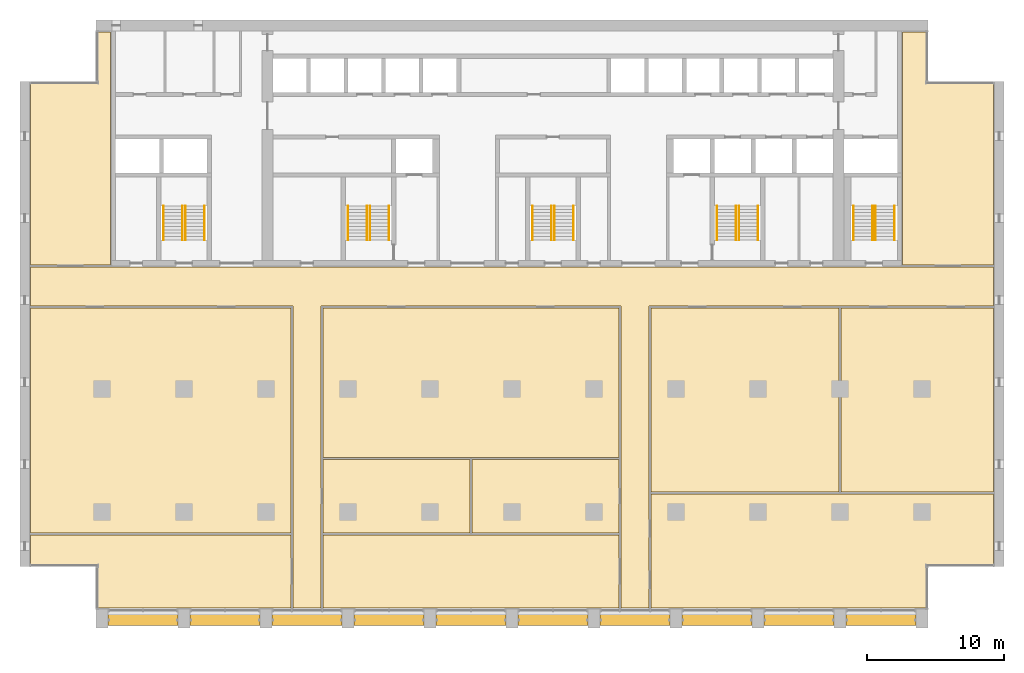
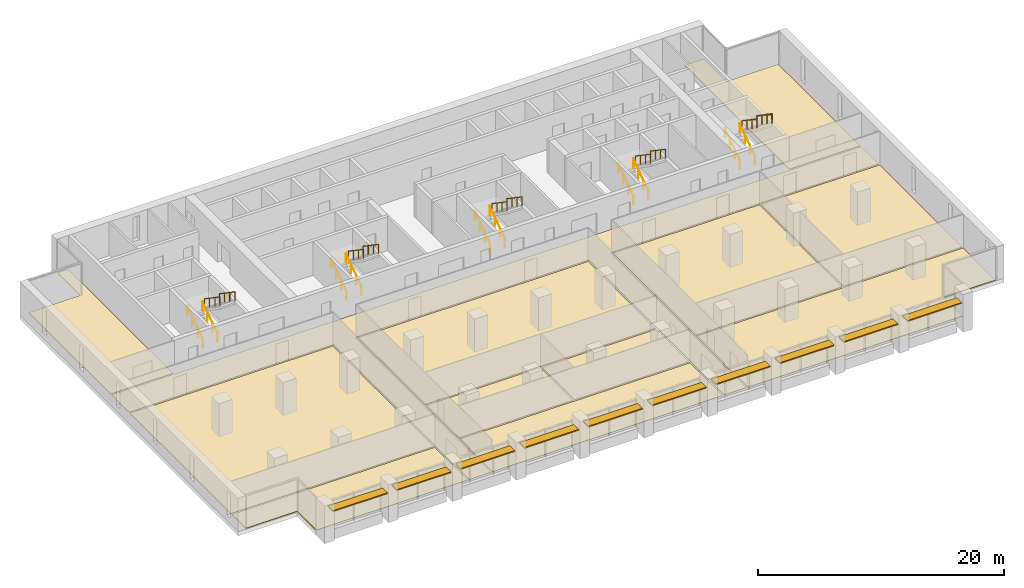
# One storey, part 15 of 15: 20 railings, 12 coverings, 10 shading devices, 5 elements without a shape of their own.
"""IFC4 building model written with IfcOpenShell, lengths in metres."""

from ifc_helpers import new_model, si_unit, direction, frame, origin, origin_2d, place, context, subcontext, project, spatial, polyline, rectangle, circle, outline, extrude, material, layer, layer_set, material_profile, profile_set, type_object, element, aggregate, save


model = new_model("IFC4")

# Units and contexts
model_context = context("Model", 3, precision=1e-05, world=origin(), true_north=direction((0.0, 1.0)))
body_context = subcontext(model_context, "Body", "Model", "MODEL_VIEW")
ifc_project = project(units=[si_unit("LENGTHUNIT", "METRE"), si_unit("AREAUNIT", "SQUARE_METRE"), si_unit("VOLUMEUNIT", "CUBIC_METRE"), si_unit("PLANEANGLEUNIT", "RADIAN"), si_unit("MASSUNIT", "GRAM", prefix="KILO")], contexts=[model_context])

# Site, building, storey
site_placement = place(None, origin())
site = spatial("IfcSite", under=ifc_project, at=site_placement, CompositionType="ELEMENT")
building_placement = place(site_placement, origin())
building = spatial("IfcBuilding", under=site, at=building_placement, Name="Calvaro Tower", CompositionType="ELEMENT")
storey_placement = place(building_placement, frame((0.0, 0.0, 143.75)))
storey = spatial("IfcBuildingStorey", under=building, at=storey_placement, Name="L36", CompositionType="ELEMENT", Elevation=143.75)

# Shading devices
ifc_material_1 = material(Name="Anodised aluminium", Category="aluminium")
ifc_material_profile = material_profile(ifc_material_1, rectangle(XDim=0.800048828125, YDim=0.10009765625, at=origin_2d()), Name="Brise-soleil blade 800 x 100")
ifc_profile_set = profile_set([ifc_material_profile], Name="Anodised aluminium")
shading_device_type = type_object("IfcShadingDeviceType", Name="Brise-soleil blade 800 x 100", PredefinedType="JALOUSIE", material=ifc_profile_set)
for number, where, z_axis, x_axis, name in (
    (1, (6.449951171875, 2.10009765625, 2.39990234375), (1.0, 0.0, 0.0), (0.0, 1.0, 0.0), "Brise-soleil blade 1"),
    (2, (12.449951171875, 2.10009765625, 2.39990234375), (1.0, 0.0, 0.0), (0.0, 1.0, 0.0), "Brise-soleil blade 2"),
    (3, (18.449951171875, 2.10009765625, 2.39990234375), (1.0, 0.0, 0.0), (0.0, 1.0, 0.0), "Brise-soleil blade 3"),
    (4, (24.449951171875, 2.10009765625, 2.39990234375), (1.0, 0.0, 0.0), (0.0, 1.0, 0.0), "Brise-soleil blade 4"),
    (5, (30.449951171875, 2.10009765625, 2.39990234375), (1.0, 0.0, 0.0), (0.0, 1.0, 0.0), "Brise-soleil blade 5"),
    (6, (36.449951171875, 2.10009765625, 2.39990234375), (1.0, 0.0, 0.0), (0.0, 1.0, 0.0), "Brise-soleil blade 6"),
    (7, (42.449951171875, 2.10009765625, 2.39990234375), (1.0, 0.0, 0.0), (0.0, 1.0, 0.0), "Brise-soleil blade 7"),
    (8, (48.449951171875, 2.10009765625, 2.39990234375), (1.0, 0.0, 0.0), (0.0, 1.0, 0.0), "Brise-soleil blade 8"),
    (9, (54.449951171875, 2.10009765625, 2.39990234375), (1.0, 0.0, 0.0), (0.0, 1.0, 0.0), "Brise-soleil blade 9"),
    (10, (60.449951171875, 2.10009765625, 2.39990234375), (1.0, 0.0, 0.0), (0.0, 1.0, 0.0), "Brise-soleil blade 10"),
):
    element("IfcShadingDevice", number, at=place(storey_placement, frame(where, z_axis=z_axis, x_axis=x_axis)), inside=storey, type_object=shading_device_type, Name=name, PredefinedType="JALOUSIE", context=body_context, shape_type="SweptSolid", body=[
        extrude(rectangle(XDim=0.800048828125, YDim=0.10009765625, at=origin_2d()), origin(), (0.0, 0.0, 1.0), 5.10009765625),
    ])

# Coverings
ifc_material_2 = material(Name="Cement screed with carpet tile finish")
ifc_layer = layer(ifc_material_2, 0.050048828125)
ifc_layer_set = layer_set([ifc_layer], Name="Cement screed with carpet tile finish")
covering_type = type_object("IfcCoveringType", Name="Floor finish 50", PredefinedType="FLOORING", material=ifc_layer_set)
covering_1_placement = place(storey_placement, origin())
element("IfcCovering", 11, at=covering_1_placement, inside=storey, type_object=covering_type, Name="Floor finish 22.01", PredefinedType="FLOORING", context=body_context, shape_type="SweptSolid", body=[
    extrude(outline(polyline([(19.969970703125, 2.969970703125), (19.969970703125, 25.070068359375), (0.77001953125, 25.070068359375), (0.77001953125, 27.929931640625), (71.22998046875, 27.929931640625), (71.22998046875, 25.070068359375), (46.030029296875, 25.070068359375), (46.030029296875, 2.969970703125), (43.969970703125, 2.969970703125), (43.969970703125, 25.070068359375), (22.030029296875, 25.070068359375), (22.030029296875, 2.969970703125), (19.969970703125, 2.969970703125)])), origin(), (0.0, 0.0, 1.0), 0.050048828125),
])
covering_2_placement = place(storey_placement, origin())
element("IfcCovering", 12, at=covering_2_placement, inside=storey, type_object=covering_type, Name="Floor finish 22.03", PredefinedType="FLOORING", context=body_context, shape_type="SweptSolid", body=[
    extrude(outline(polyline([(19.830078125, 8.330078125), (19.830078125, 2.969970703125), (5.6201171875, 2.969970703125), (5.6201171875, 6.070068359375), (0.77001953125, 6.070068359375), (0.77001953125, 8.330078125), (19.830078125, 8.330078125)])), origin(), (0.0, 0.0, 1.0), 0.050048828125),
])
covering_3_placement = place(storey_placement, origin())
element("IfcCovering", 13, at=covering_3_placement, inside=storey, type_object=covering_type, Name="Floor finish 22.07", PredefinedType="FLOORING", context=body_context, shape_type="SweptSolid", body=[
    extrude(outline(polyline([(19.830078125, 24.929931640625), (19.830078125, 8.469970703125), (0.77001953125, 8.469970703125), (0.77001953125, 24.929931640625), (19.830078125, 24.929931640625)])), origin(), (0.0, 0.0, 1.0), 0.050048828125),
])
covering_4_placement = place(storey_placement, origin())
element("IfcCovering", 14, at=covering_4_placement, inside=storey, type_object=covering_type, Name="Floor finish 22.02", PredefinedType="FLOORING", context=body_context, shape_type="SweptSolid", body=[
    extrude(outline(polyline([(22.169921875, 8.330078125), (43.830078125, 8.330078125), (43.830078125, 2.969970703125), (22.169921875, 2.969970703125), (22.169921875, 8.330078125)])), origin(), (0.0, 0.0, 1.0), 0.050048828125),
])
covering_5_placement = place(storey_placement, origin())
element("IfcCovering", 15, at=covering_5_placement, inside=storey, type_object=covering_type, Name="Floor finish 22.05", PredefinedType="FLOORING", context=body_context, shape_type="SweptSolid", body=[
    extrude(outline(polyline([(22.169921875, 8.469970703125), (22.169921875, 13.830078125), (32.929931640625, 13.830078125), (32.929931640625, 8.469970703125), (22.169921875, 8.469970703125)])), origin(), (0.0, 0.0, 1.0), 0.050048828125),
])
covering_6_placement = place(storey_placement, origin())
element("IfcCovering", 16, at=covering_6_placement, inside=storey, type_object=covering_type, Name="Floor finish 22.06", PredefinedType="FLOORING", context=body_context, shape_type="SweptSolid", body=[
    extrude(outline(polyline([(33.070068359375, 8.469970703125), (33.070068359375, 13.830078125), (43.830078125, 13.830078125), (43.830078125, 8.469970703125), (33.070068359375, 8.469970703125)])), origin(), (0.0, 0.0, 1.0), 0.050048828125),
])
covering_7_placement = place(storey_placement, origin())
element("IfcCovering", 17, at=covering_7_placement, inside=storey, type_object=covering_type, Name="Floor finish 22.10", PredefinedType="FLOORING", context=body_context, shape_type="SweptSolid", body=[
    extrude(outline(polyline([(22.169921875, 13.969970703125), (22.169921875, 24.929931640625), (43.830078125, 24.929931640625), (43.830078125, 13.969970703125), (22.169921875, 13.969970703125)])), origin(), (0.0, 0.0, 1.0), 0.050048828125),
])
covering_8_placement = place(storey_placement, origin())
element("IfcCovering", 18, at=covering_8_placement, inside=storey, type_object=covering_type, Name="Floor finish 22.04", PredefinedType="FLOORING", context=body_context, shape_type="SweptSolid", body=[
    extrude(outline(polyline([(71.22998046875, 6.070068359375), (66.3798828125, 6.070068359375), (66.3798828125, 2.969970703125), (46.169921875, 2.969970703125), (46.169921875, 11.330078125), (71.22998046875, 11.330078125), (71.22998046875, 6.070068359375)])), origin(), (0.0, 0.0, 1.0), 0.050048828125),
])
covering_9_placement = place(storey_placement, origin())
element("IfcCovering", 19, at=covering_9_placement, inside=storey, type_object=covering_type, Name="Floor finish 22.08", PredefinedType="FLOORING", context=body_context, shape_type="SweptSolid", body=[
    extrude(outline(polyline([(46.169921875, 11.469970703125), (46.169921875, 24.929931640625), (59.929931640625, 24.929931640625), (59.929931640625, 11.469970703125), (46.169921875, 11.469970703125)])), origin(), (0.0, 0.0, 1.0), 0.050048828125),
])
covering_10_placement = place(storey_placement, origin())
element("IfcCovering", 20, at=covering_10_placement, inside=storey, type_object=covering_type, Name="Floor finish 22.09", PredefinedType="FLOORING", context=body_context, shape_type="SweptSolid", body=[
    extrude(outline(polyline([(71.22998046875, 11.469970703125), (60.070068359375, 11.469970703125), (60.070068359375, 24.929931640625), (71.22998046875, 24.929931640625), (71.22998046875, 11.469970703125)])), origin(), (0.0, 0.0, 1.0), 0.050048828125),
])
covering_11_placement = place(storey_placement, origin())
element("IfcCovering", 21, at=covering_11_placement, inside=storey, type_object=covering_type, Name="Floor finish 22.11", PredefinedType="FLOORING", context=body_context, shape_type="SweptSolid", body=[
    extrude(outline(polyline([(6.6298828125, 28.070068359375), (0.77001953125, 28.070068359375), (0.77001953125, 41.429931640625), (5.6201171875, 41.429931640625), (5.6201171875, 45.1298828125), (6.6298828125, 45.1298828125), (6.6298828125, 28.070068359375)])), origin(), (0.0, 0.0, 1.0), 0.050048828125),
])
covering_12_placement = place(storey_placement, origin())
element("IfcCovering", 22, at=covering_12_placement, inside=storey, type_object=covering_type, Name="Floor finish 22.12", PredefinedType="FLOORING", context=body_context, shape_type="SweptSolid", body=[
    extrude(outline(polyline([(71.22998046875, 28.070068359375), (64.570068359375, 28.070068359375), (64.570068359375, 45.1298828125), (66.3798828125, 45.1298828125), (66.3798828125, 41.429931640625), (71.22998046875, 41.429931640625), (71.22998046875, 28.070068359375)])), origin(), (0.0, 0.0, 1.0), 0.050048828125),
])

# Stair, railings
ifc_material_3 = material(Name="Concrete C40/50", Category="concrete")
stair_type = type_object("IfcStairType", Name="Exit stair 1400 2 flights", PredefinedType="HALF_TURN_STAIR", material=ifc_material_3)
stair_1_placement = place(storey_placement, origin())
stair_1 = element("IfcStair", 23, at=stair_1_placement, inside=storey, type_object=stair_type, Name="Exit stair S1", PredefinedType="HALF_TURN_STAIR")
ifc_material_4 = material(Name="Stainless steel", Category="steel")
railing_type = type_object("IfcRailingType", Name="Stair handrail", PredefinedType="HANDRAIL", material=ifc_material_4)
railing_1_placement = place(storey_placement, frame((11.89990234375, 29.89990234375, 0.17041015625)))
railing_1 = element("IfcRailing", 24, at=railing_1_placement, type_object=railing_type, Name="Exit stair 1 handrail", PredefinedType="HANDRAIL", context=body_context, shape_type="SweptSolid", body=[
    extrude(circle(Radius=0.02392578125, at=origin_2d()), frame((0.0, 0.0, 0.8759765625), z_axis=(0.0, 0.826220514629, 0.563346839174), x_axis=(-1.0, 0.0, 0.0)), (0.0, 0.0, 1.0), 3.02587890625),
    extrude(circle(Radius=0.02099609375, at=origin_2d()), frame((0.0, 0.017333984375, 0.01171875)), (0.0, 0.0, 1.0), 0.851806640625),
    extrude(circle(Radius=0.02099609375, at=origin_2d()), frame((0.0, 0.833251953125, 0.568115234375)), (0.0, 0.0, 1.0), 0.851806640625),
    extrude(circle(Radius=0.02099609375, at=origin_2d()), frame((0.0, 1.666748046875, 1.136474609375)), (0.0, 0.0, 1.0), 0.851806640625),
    extrude(circle(Radius=0.02099609375, at=origin_2d()), frame((0.0, 2.482666015625, 1.69287109375)), (0.0, 0.0, 1.0), 0.851806640625),
])
railing_2_placement = place(storey_placement, frame((10.5, 29.89990234375, 0.17041015625)))
railing_2 = element("IfcRailing", 25, at=railing_2_placement, type_object=railing_type, Name="Exit stair 1 handrail", PredefinedType="HANDRAIL", context=body_context, shape_type="SweptSolid", body=[
    extrude(circle(Radius=0.02392578125, at=origin_2d()), frame((0.0, 0.0, 0.8759765625), z_axis=(0.0, 0.826220514629, 0.563346839174), x_axis=(-1.0, 0.0, 0.0)), (0.0, 0.0, 1.0), 3.02587890625),
    extrude(circle(Radius=0.02099609375, at=origin_2d()), frame((0.0, 0.017333984375, 0.01171875)), (0.0, 0.0, 1.0), 0.851806640625),
    extrude(circle(Radius=0.02099609375, at=origin_2d()), frame((0.0, 0.833251953125, 0.568115234375)), (0.0, 0.0, 1.0), 0.851806640625),
    extrude(circle(Radius=0.02099609375, at=origin_2d()), frame((0.0, 1.666748046875, 1.136474609375)), (0.0, 0.0, 1.0), 0.851806640625),
    extrude(circle(Radius=0.02099609375, at=origin_2d()), frame((0.0, 2.482666015625, 1.69287109375)), (0.0, 0.0, 1.0), 0.851806640625),
])
railing_3_placement = place(storey_placement, frame((12.10009765625, 32.39990234375, 2.04541015625)))
railing_3 = element("IfcRailing", 26, at=railing_3_placement, type_object=railing_type, Name="Exit stair 1 handrail", PredefinedType="HANDRAIL", context=body_context, shape_type="SweptSolid", body=[
    extrude(circle(Radius=0.02392578125, at=origin_2d()), frame((0.0, 0.0, 0.8759765625), z_axis=(0.0, -0.826220514629, 0.563346839174), x_axis=(1.0, 0.0, 0.0)), (0.0, 0.0, 1.0), 3.02587890625),
    extrude(circle(Radius=0.02099609375, at=origin_2d()), frame((0.0, -0.017333984375, 0.01171875)), (0.0, 0.0, 1.0), 0.851806640625),
    extrude(circle(Radius=0.02099609375, at=origin_2d()), frame((0.0, -0.833251953125, 0.568115234375)), (0.0, 0.0, 1.0), 0.851806640625),
    extrude(circle(Radius=0.02099609375, at=origin_2d()), frame((0.0, -1.666748046875, 1.136474609375)), (0.0, 0.0, 1.0), 0.851806640625),
    extrude(circle(Radius=0.02099609375, at=origin_2d()), frame((0.0, -2.482666015625, 1.69287109375)), (0.0, 0.0, 1.0), 0.851806640625),
])
railing_4_placement = place(storey_placement, frame((13.5, 32.39990234375, 2.04541015625)))
railing_4 = element("IfcRailing", 27, at=railing_4_placement, type_object=railing_type, Name="Exit stair 1 handrail", PredefinedType="HANDRAIL", context=body_context, shape_type="SweptSolid", body=[
    extrude(circle(Radius=0.02392578125, at=origin_2d()), frame((0.0, 0.0, 0.8759765625), z_axis=(0.0, -0.826220514629, 0.563346839174), x_axis=(1.0, 0.0, 0.0)), (0.0, 0.0, 1.0), 3.02587890625),
    extrude(circle(Radius=0.02099609375, at=origin_2d()), frame((0.0, -0.017333984375, 0.01171875)), (0.0, 0.0, 1.0), 0.851806640625),
    extrude(circle(Radius=0.02099609375, at=origin_2d()), frame((0.0, -0.833251953125, 0.568115234375)), (0.0, 0.0, 1.0), 0.851806640625),
    extrude(circle(Radius=0.02099609375, at=origin_2d()), frame((0.0, -1.666748046875, 1.136474609375)), (0.0, 0.0, 1.0), 0.851806640625),
    extrude(circle(Radius=0.02099609375, at=origin_2d()), frame((0.0, -2.482666015625, 1.69287109375)), (0.0, 0.0, 1.0), 0.851806640625),
])
aggregate(stair_1, [railing_1, railing_2, railing_3, railing_4])

stair_2_placement = place(storey_placement, origin())
stair_2 = element("IfcStair", 28, at=stair_2_placement, inside=storey, type_object=stair_type, Name="Exit stair S2", PredefinedType="HALF_TURN_STAIR")
railing_5_placement = place(storey_placement, frame((25.39990234375, 29.89990234375, 0.17041015625)))
railing_5 = element("IfcRailing", 29, at=railing_5_placement, type_object=railing_type, Name="Exit stair 2 handrail", PredefinedType="HANDRAIL", context=body_context, shape_type="SweptSolid", body=[
    extrude(circle(Radius=0.02392578125, at=origin_2d()), frame((0.0, 0.0, 0.8759765625), z_axis=(0.0, 0.826220514629, 0.563346839174), x_axis=(-1.0, 0.0, 0.0)), (0.0, 0.0, 1.0), 3.02587890625),
    extrude(circle(Radius=0.02099609375, at=origin_2d()), frame((0.0, 0.017333984375, 0.01171875)), (0.0, 0.0, 1.0), 0.851806640625),
    extrude(circle(Radius=0.02099609375, at=origin_2d()), frame((0.0, 0.833251953125, 0.568115234375)), (0.0, 0.0, 1.0), 0.851806640625),
    extrude(circle(Radius=0.02099609375, at=origin_2d()), frame((0.0, 1.666748046875, 1.136474609375)), (0.0, 0.0, 1.0), 0.851806640625),
    extrude(circle(Radius=0.02099609375, at=origin_2d()), frame((0.0, 2.482666015625, 1.69287109375)), (0.0, 0.0, 1.0), 0.851806640625),
])
railing_6_placement = place(storey_placement, frame((24.0, 29.89990234375, 0.17041015625)))
railing_6 = element("IfcRailing", 30, at=railing_6_placement, type_object=railing_type, Name="Exit stair 2 handrail", PredefinedType="HANDRAIL", context=body_context, shape_type="SweptSolid", body=[
    extrude(circle(Radius=0.02392578125, at=origin_2d()), frame((0.0, 0.0, 0.8759765625), z_axis=(0.0, 0.826220514629, 0.563346839174), x_axis=(-1.0, 0.0, 0.0)), (0.0, 0.0, 1.0), 3.02587890625),
    extrude(circle(Radius=0.02099609375, at=origin_2d()), frame((0.0, 0.017333984375, 0.01171875)), (0.0, 0.0, 1.0), 0.851806640625),
    extrude(circle(Radius=0.02099609375, at=origin_2d()), frame((0.0, 0.833251953125, 0.568115234375)), (0.0, 0.0, 1.0), 0.851806640625),
    extrude(circle(Radius=0.02099609375, at=origin_2d()), frame((0.0, 1.666748046875, 1.136474609375)), (0.0, 0.0, 1.0), 0.851806640625),
    extrude(circle(Radius=0.02099609375, at=origin_2d()), frame((0.0, 2.482666015625, 1.69287109375)), (0.0, 0.0, 1.0), 0.851806640625),
])
railing_7_placement = place(storey_placement, frame((25.60009765625, 32.39990234375, 2.04541015625)))
railing_7 = element("IfcRailing", 31, at=railing_7_placement, type_object=railing_type, Name="Exit stair 2 handrail", PredefinedType="HANDRAIL", context=body_context, shape_type="SweptSolid", body=[
    extrude(circle(Radius=0.02392578125, at=origin_2d()), frame((0.0, 0.0, 0.8759765625), z_axis=(0.0, -0.826220514629, 0.563346839174), x_axis=(1.0, 0.0, 0.0)), (0.0, 0.0, 1.0), 3.02587890625),
    extrude(circle(Radius=0.02099609375, at=origin_2d()), frame((0.0, -0.017333984375, 0.01171875)), (0.0, 0.0, 1.0), 0.851806640625),
    extrude(circle(Radius=0.02099609375, at=origin_2d()), frame((0.0, -0.833251953125, 0.568115234375)), (0.0, 0.0, 1.0), 0.851806640625),
    extrude(circle(Radius=0.02099609375, at=origin_2d()), frame((0.0, -1.666748046875, 1.136474609375)), (0.0, 0.0, 1.0), 0.851806640625),
    extrude(circle(Radius=0.02099609375, at=origin_2d()), frame((0.0, -2.482666015625, 1.69287109375)), (0.0, 0.0, 1.0), 0.851806640625),
])
railing_8_placement = place(storey_placement, frame((27.0, 32.39990234375, 2.04541015625)))
railing_8 = element("IfcRailing", 32, at=railing_8_placement, type_object=railing_type, Name="Exit stair 2 handrail", PredefinedType="HANDRAIL", context=body_context, shape_type="SweptSolid", body=[
    extrude(circle(Radius=0.02392578125, at=origin_2d()), frame((0.0, 0.0, 0.8759765625), z_axis=(0.0, -0.826220514629, 0.563346839174), x_axis=(1.0, 0.0, 0.0)), (0.0, 0.0, 1.0), 3.02587890625),
    extrude(circle(Radius=0.02099609375, at=origin_2d()), frame((0.0, -0.017333984375, 0.01171875)), (0.0, 0.0, 1.0), 0.851806640625),
    extrude(circle(Radius=0.02099609375, at=origin_2d()), frame((0.0, -0.833251953125, 0.568115234375)), (0.0, 0.0, 1.0), 0.851806640625),
    extrude(circle(Radius=0.02099609375, at=origin_2d()), frame((0.0, -1.666748046875, 1.136474609375)), (0.0, 0.0, 1.0), 0.851806640625),
    extrude(circle(Radius=0.02099609375, at=origin_2d()), frame((0.0, -2.482666015625, 1.69287109375)), (0.0, 0.0, 1.0), 0.851806640625),
])
aggregate(stair_2, [railing_5, railing_6, railing_7, railing_8])

stair_3_placement = place(storey_placement, origin())
stair_3 = element("IfcStair", 33, at=stair_3_placement, inside=storey, type_object=stair_type, Name="Exit stair S3", PredefinedType="HALF_TURN_STAIR")
railing_9_placement = place(storey_placement, frame((38.89990234375, 29.89990234375, 0.17041015625)))
railing_9 = element("IfcRailing", 34, at=railing_9_placement, type_object=railing_type, Name="Exit stair 3 handrail", PredefinedType="HANDRAIL", context=body_context, shape_type="SweptSolid", body=[
    extrude(circle(Radius=0.02392578125, at=origin_2d()), frame((0.0, 0.0, 0.8759765625), z_axis=(0.0, 0.826220514629, 0.563346839174), x_axis=(-1.0, 0.0, 0.0)), (0.0, 0.0, 1.0), 3.02587890625),
    extrude(circle(Radius=0.02099609375, at=origin_2d()), frame((0.0, 0.017333984375, 0.01171875)), (0.0, 0.0, 1.0), 0.851806640625),
    extrude(circle(Radius=0.02099609375, at=origin_2d()), frame((0.0, 0.833251953125, 0.568115234375)), (0.0, 0.0, 1.0), 0.851806640625),
    extrude(circle(Radius=0.02099609375, at=origin_2d()), frame((0.0, 1.666748046875, 1.136474609375)), (0.0, 0.0, 1.0), 0.851806640625),
    extrude(circle(Radius=0.02099609375, at=origin_2d()), frame((0.0, 2.482666015625, 1.69287109375)), (0.0, 0.0, 1.0), 0.851806640625),
])
railing_10_placement = place(storey_placement, frame((37.5, 29.89990234375, 0.17041015625)))
railing_10 = element("IfcRailing", 35, at=railing_10_placement, type_object=railing_type, Name="Exit stair 3 handrail", PredefinedType="HANDRAIL", context=body_context, shape_type="SweptSolid", body=[
    extrude(circle(Radius=0.02392578125, at=origin_2d()), frame((0.0, 0.0, 0.8759765625), z_axis=(0.0, 0.826220514629, 0.563346839174), x_axis=(-1.0, 0.0, 0.0)), (0.0, 0.0, 1.0), 3.02587890625),
    extrude(circle(Radius=0.02099609375, at=origin_2d()), frame((0.0, 0.017333984375, 0.01171875)), (0.0, 0.0, 1.0), 0.851806640625),
    extrude(circle(Radius=0.02099609375, at=origin_2d()), frame((0.0, 0.833251953125, 0.568115234375)), (0.0, 0.0, 1.0), 0.851806640625),
    extrude(circle(Radius=0.02099609375, at=origin_2d()), frame((0.0, 1.666748046875, 1.136474609375)), (0.0, 0.0, 1.0), 0.851806640625),
    extrude(circle(Radius=0.02099609375, at=origin_2d()), frame((0.0, 2.482666015625, 1.69287109375)), (0.0, 0.0, 1.0), 0.851806640625),
])
railing_11_placement = place(storey_placement, frame((39.10009765625, 32.39990234375, 2.04541015625)))
railing_11 = element("IfcRailing", 36, at=railing_11_placement, type_object=railing_type, Name="Exit stair 3 handrail", PredefinedType="HANDRAIL", context=body_context, shape_type="SweptSolid", body=[
    extrude(circle(Radius=0.02392578125, at=origin_2d()), frame((0.0, 0.0, 0.8759765625), z_axis=(0.0, -0.826220514629, 0.563346839174), x_axis=(1.0, 0.0, 0.0)), (0.0, 0.0, 1.0), 3.02587890625),
    extrude(circle(Radius=0.02099609375, at=origin_2d()), frame((0.0, -0.017333984375, 0.01171875)), (0.0, 0.0, 1.0), 0.851806640625),
    extrude(circle(Radius=0.02099609375, at=origin_2d()), frame((0.0, -0.833251953125, 0.568115234375)), (0.0, 0.0, 1.0), 0.851806640625),
    extrude(circle(Radius=0.02099609375, at=origin_2d()), frame((0.0, -1.666748046875, 1.136474609375)), (0.0, 0.0, 1.0), 0.851806640625),
    extrude(circle(Radius=0.02099609375, at=origin_2d()), frame((0.0, -2.482666015625, 1.69287109375)), (0.0, 0.0, 1.0), 0.851806640625),
])
railing_12_placement = place(storey_placement, frame((40.5, 32.39990234375, 2.04541015625)))
railing_12 = element("IfcRailing", 37, at=railing_12_placement, type_object=railing_type, Name="Exit stair 3 handrail", PredefinedType="HANDRAIL", context=body_context, shape_type="SweptSolid", body=[
    extrude(circle(Radius=0.02392578125, at=origin_2d()), frame((0.0, 0.0, 0.8759765625), z_axis=(0.0, -0.826220514629, 0.563346839174), x_axis=(1.0, 0.0, 0.0)), (0.0, 0.0, 1.0), 3.02587890625),
    extrude(circle(Radius=0.02099609375, at=origin_2d()), frame((0.0, -0.017333984375, 0.01171875)), (0.0, 0.0, 1.0), 0.851806640625),
    extrude(circle(Radius=0.02099609375, at=origin_2d()), frame((0.0, -0.833251953125, 0.568115234375)), (0.0, 0.0, 1.0), 0.851806640625),
    extrude(circle(Radius=0.02099609375, at=origin_2d()), frame((0.0, -1.666748046875, 1.136474609375)), (0.0, 0.0, 1.0), 0.851806640625),
    extrude(circle(Radius=0.02099609375, at=origin_2d()), frame((0.0, -2.482666015625, 1.69287109375)), (0.0, 0.0, 1.0), 0.851806640625),
])
aggregate(stair_3, [railing_9, railing_10, railing_11, railing_12])

stair_4_placement = place(storey_placement, origin())
stair_4 = element("IfcStair", 38, at=stair_4_placement, inside=storey, type_object=stair_type, Name="Exit stair S4", PredefinedType="HALF_TURN_STAIR")
railing_13_placement = place(storey_placement, frame((52.39990234375, 29.89990234375, 0.17041015625)))
railing_13 = element("IfcRailing", 39, at=railing_13_placement, type_object=railing_type, Name="Exit stair 4 handrail", PredefinedType="HANDRAIL", context=body_context, shape_type="SweptSolid", body=[
    extrude(circle(Radius=0.02392578125, at=origin_2d()), frame((0.0, 0.0, 0.8759765625), z_axis=(0.0, 0.826220514629, 0.563346839174), x_axis=(-1.0, 0.0, 0.0)), (0.0, 0.0, 1.0), 3.02587890625),
    extrude(circle(Radius=0.02099609375, at=origin_2d()), frame((0.0, 0.017333984375, 0.01171875)), (0.0, 0.0, 1.0), 0.851806640625),
    extrude(circle(Radius=0.02099609375, at=origin_2d()), frame((0.0, 0.833251953125, 0.568115234375)), (0.0, 0.0, 1.0), 0.851806640625),
    extrude(circle(Radius=0.02099609375, at=origin_2d()), frame((0.0, 1.666748046875, 1.136474609375)), (0.0, 0.0, 1.0), 0.851806640625),
    extrude(circle(Radius=0.02099609375, at=origin_2d()), frame((0.0, 2.482666015625, 1.69287109375)), (0.0, 0.0, 1.0), 0.851806640625),
])
railing_14_placement = place(storey_placement, frame((51.0, 29.89990234375, 0.17041015625)))
railing_14 = element("IfcRailing", 40, at=railing_14_placement, type_object=railing_type, Name="Exit stair 4 handrail", PredefinedType="HANDRAIL", context=body_context, shape_type="SweptSolid", body=[
    extrude(circle(Radius=0.02392578125, at=origin_2d()), frame((0.0, 0.0, 0.8759765625), z_axis=(0.0, 0.826220514629, 0.563346839174), x_axis=(-1.0, 0.0, 0.0)), (0.0, 0.0, 1.0), 3.02587890625),
    extrude(circle(Radius=0.02099609375, at=origin_2d()), frame((0.0, 0.017333984375, 0.01171875)), (0.0, 0.0, 1.0), 0.851806640625),
    extrude(circle(Radius=0.02099609375, at=origin_2d()), frame((0.0, 0.833251953125, 0.568115234375)), (0.0, 0.0, 1.0), 0.851806640625),
    extrude(circle(Radius=0.02099609375, at=origin_2d()), frame((0.0, 1.666748046875, 1.136474609375)), (0.0, 0.0, 1.0), 0.851806640625),
    extrude(circle(Radius=0.02099609375, at=origin_2d()), frame((0.0, 2.482666015625, 1.69287109375)), (0.0, 0.0, 1.0), 0.851806640625),
])
railing_15_placement = place(storey_placement, frame((52.60009765625, 32.39990234375, 2.04541015625)))
railing_15 = element("IfcRailing", 41, at=railing_15_placement, type_object=railing_type, Name="Exit stair 4 handrail", PredefinedType="HANDRAIL", context=body_context, shape_type="SweptSolid", body=[
    extrude(circle(Radius=0.02392578125, at=origin_2d()), frame((0.0, 0.0, 0.8759765625), z_axis=(0.0, -0.826220514629, 0.563346839174), x_axis=(1.0, 0.0, 0.0)), (0.0, 0.0, 1.0), 3.02587890625),
    extrude(circle(Radius=0.02099609375, at=origin_2d()), frame((0.0, -0.017333984375, 0.01171875)), (0.0, 0.0, 1.0), 0.851806640625),
    extrude(circle(Radius=0.02099609375, at=origin_2d()), frame((0.0, -0.833251953125, 0.568115234375)), (0.0, 0.0, 1.0), 0.851806640625),
    extrude(circle(Radius=0.02099609375, at=origin_2d()), frame((0.0, -1.666748046875, 1.136474609375)), (0.0, 0.0, 1.0), 0.851806640625),
    extrude(circle(Radius=0.02099609375, at=origin_2d()), frame((0.0, -2.482666015625, 1.69287109375)), (0.0, 0.0, 1.0), 0.851806640625),
])
railing_16_placement = place(storey_placement, frame((54.0, 32.39990234375, 2.04541015625)))
railing_16 = element("IfcRailing", 42, at=railing_16_placement, type_object=railing_type, Name="Exit stair 4 handrail", PredefinedType="HANDRAIL", context=body_context, shape_type="SweptSolid", body=[
    extrude(circle(Radius=0.02392578125, at=origin_2d()), frame((0.0, 0.0, 0.8759765625), z_axis=(0.0, -0.826220514629, 0.563346839174), x_axis=(1.0, 0.0, 0.0)), (0.0, 0.0, 1.0), 3.02587890625),
    extrude(circle(Radius=0.02099609375, at=origin_2d()), frame((0.0, -0.017333984375, 0.01171875)), (0.0, 0.0, 1.0), 0.851806640625),
    extrude(circle(Radius=0.02099609375, at=origin_2d()), frame((0.0, -0.833251953125, 0.568115234375)), (0.0, 0.0, 1.0), 0.851806640625),
    extrude(circle(Radius=0.02099609375, at=origin_2d()), frame((0.0, -1.666748046875, 1.136474609375)), (0.0, 0.0, 1.0), 0.851806640625),
    extrude(circle(Radius=0.02099609375, at=origin_2d()), frame((0.0, -2.482666015625, 1.69287109375)), (0.0, 0.0, 1.0), 0.851806640625),
])
aggregate(stair_4, [railing_13, railing_14, railing_15, railing_16])

stair_5_placement = place(storey_placement, origin())
stair_5 = element("IfcStair", 43, at=stair_5_placement, inside=storey, type_object=stair_type, Name="Exit stair S5", PredefinedType="HALF_TURN_STAIR")
railing_17_placement = place(storey_placement, frame((62.39990234375, 29.89990234375, 0.17041015625)))
railing_17 = element("IfcRailing", 44, at=railing_17_placement, type_object=railing_type, Name="Exit stair 5 handrail", PredefinedType="HANDRAIL", context=body_context, shape_type="SweptSolid", body=[
    extrude(circle(Radius=0.02392578125, at=origin_2d()), frame((0.0, 0.0, 0.8759765625), z_axis=(0.0, 0.826220514629, 0.563346839174), x_axis=(-1.0, 0.0, 0.0)), (0.0, 0.0, 1.0), 3.02587890625),
    extrude(circle(Radius=0.02099609375, at=origin_2d()), frame((0.0, 0.017333984375, 0.01171875)), (0.0, 0.0, 1.0), 0.851806640625),
    extrude(circle(Radius=0.02099609375, at=origin_2d()), frame((0.0, 0.833251953125, 0.568115234375)), (0.0, 0.0, 1.0), 0.851806640625),
    extrude(circle(Radius=0.02099609375, at=origin_2d()), frame((0.0, 1.666748046875, 1.136474609375)), (0.0, 0.0, 1.0), 0.851806640625),
    extrude(circle(Radius=0.02099609375, at=origin_2d()), frame((0.0, 2.482666015625, 1.69287109375)), (0.0, 0.0, 1.0), 0.851806640625),
])
railing_18_placement = place(storey_placement, frame((61.0, 29.89990234375, 0.17041015625)))
railing_18 = element("IfcRailing", 45, at=railing_18_placement, type_object=railing_type, Name="Exit stair 5 handrail", PredefinedType="HANDRAIL", context=body_context, shape_type="SweptSolid", body=[
    extrude(circle(Radius=0.02392578125, at=origin_2d()), frame((0.0, 0.0, 0.8759765625), z_axis=(0.0, 0.826220514629, 0.563346839174), x_axis=(-1.0, 0.0, 0.0)), (0.0, 0.0, 1.0), 3.02587890625),
    extrude(circle(Radius=0.02099609375, at=origin_2d()), frame((0.0, 0.017333984375, 0.01171875)), (0.0, 0.0, 1.0), 0.851806640625),
    extrude(circle(Radius=0.02099609375, at=origin_2d()), frame((0.0, 0.833251953125, 0.568115234375)), (0.0, 0.0, 1.0), 0.851806640625),
    extrude(circle(Radius=0.02099609375, at=origin_2d()), frame((0.0, 1.666748046875, 1.136474609375)), (0.0, 0.0, 1.0), 0.851806640625),
    extrude(circle(Radius=0.02099609375, at=origin_2d()), frame((0.0, 2.482666015625, 1.69287109375)), (0.0, 0.0, 1.0), 0.851806640625),
])
railing_19_placement = place(storey_placement, frame((62.60009765625, 32.39990234375, 2.04541015625)))
railing_19 = element("IfcRailing", 46, at=railing_19_placement, type_object=railing_type, Name="Exit stair 5 handrail", PredefinedType="HANDRAIL", context=body_context, shape_type="SweptSolid", body=[
    extrude(circle(Radius=0.02392578125, at=origin_2d()), frame((0.0, 0.0, 0.8759765625), z_axis=(0.0, -0.826220514629, 0.563346839174), x_axis=(1.0, 0.0, 0.0)), (0.0, 0.0, 1.0), 3.02587890625),
    extrude(circle(Radius=0.02099609375, at=origin_2d()), frame((0.0, -0.017333984375, 0.01171875)), (0.0, 0.0, 1.0), 0.851806640625),
    extrude(circle(Radius=0.02099609375, at=origin_2d()), frame((0.0, -0.833251953125, 0.568115234375)), (0.0, 0.0, 1.0), 0.851806640625),
    extrude(circle(Radius=0.02099609375, at=origin_2d()), frame((0.0, -1.666748046875, 1.136474609375)), (0.0, 0.0, 1.0), 0.851806640625),
    extrude(circle(Radius=0.02099609375, at=origin_2d()), frame((0.0, -2.482666015625, 1.69287109375)), (0.0, 0.0, 1.0), 0.851806640625),
])
railing_20_placement = place(storey_placement, frame((64.0, 32.39990234375, 2.04541015625)))
railing_20 = element("IfcRailing", 47, at=railing_20_placement, type_object=railing_type, Name="Exit stair 5 handrail", PredefinedType="HANDRAIL", context=body_context, shape_type="SweptSolid", body=[
    extrude(circle(Radius=0.02392578125, at=origin_2d()), frame((0.0, 0.0, 0.8759765625), z_axis=(0.0, -0.826220514629, 0.563346839174), x_axis=(1.0, 0.0, 0.0)), (0.0, 0.0, 1.0), 3.02587890625),
    extrude(circle(Radius=0.02099609375, at=origin_2d()), frame((0.0, -0.017333984375, 0.01171875)), (0.0, 0.0, 1.0), 0.851806640625),
    extrude(circle(Radius=0.02099609375, at=origin_2d()), frame((0.0, -0.833251953125, 0.568115234375)), (0.0, 0.0, 1.0), 0.851806640625),
    extrude(circle(Radius=0.02099609375, at=origin_2d()), frame((0.0, -1.666748046875, 1.136474609375)), (0.0, 0.0, 1.0), 0.851806640625),
    extrude(circle(Radius=0.02099609375, at=origin_2d()), frame((0.0, -2.482666015625, 1.69287109375)), (0.0, 0.0, 1.0), 0.851806640625),
])
aggregate(stair_5, [railing_17, railing_18, railing_19, railing_20])

save(model, "model.ifc")
